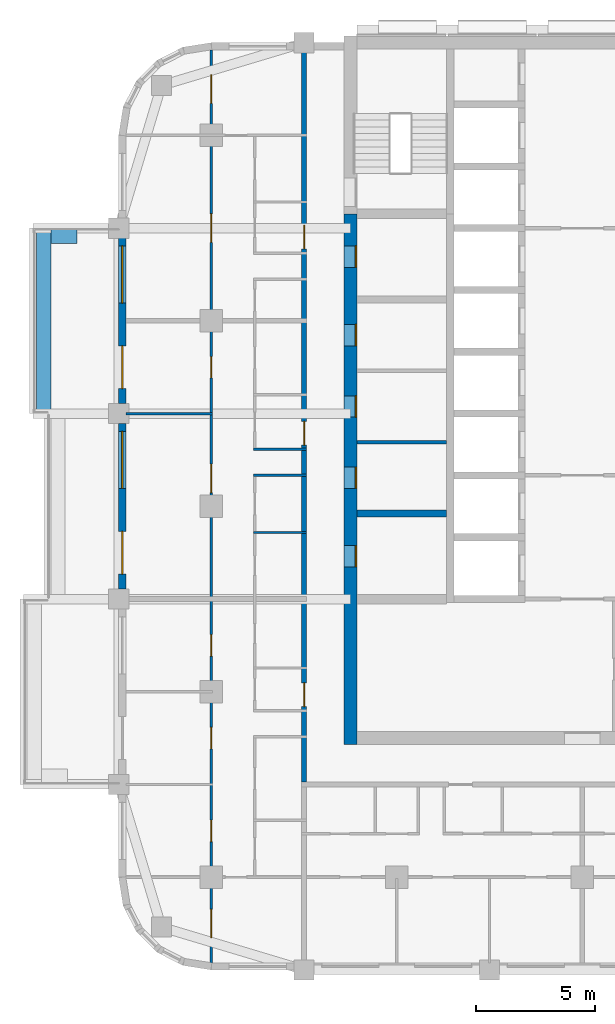
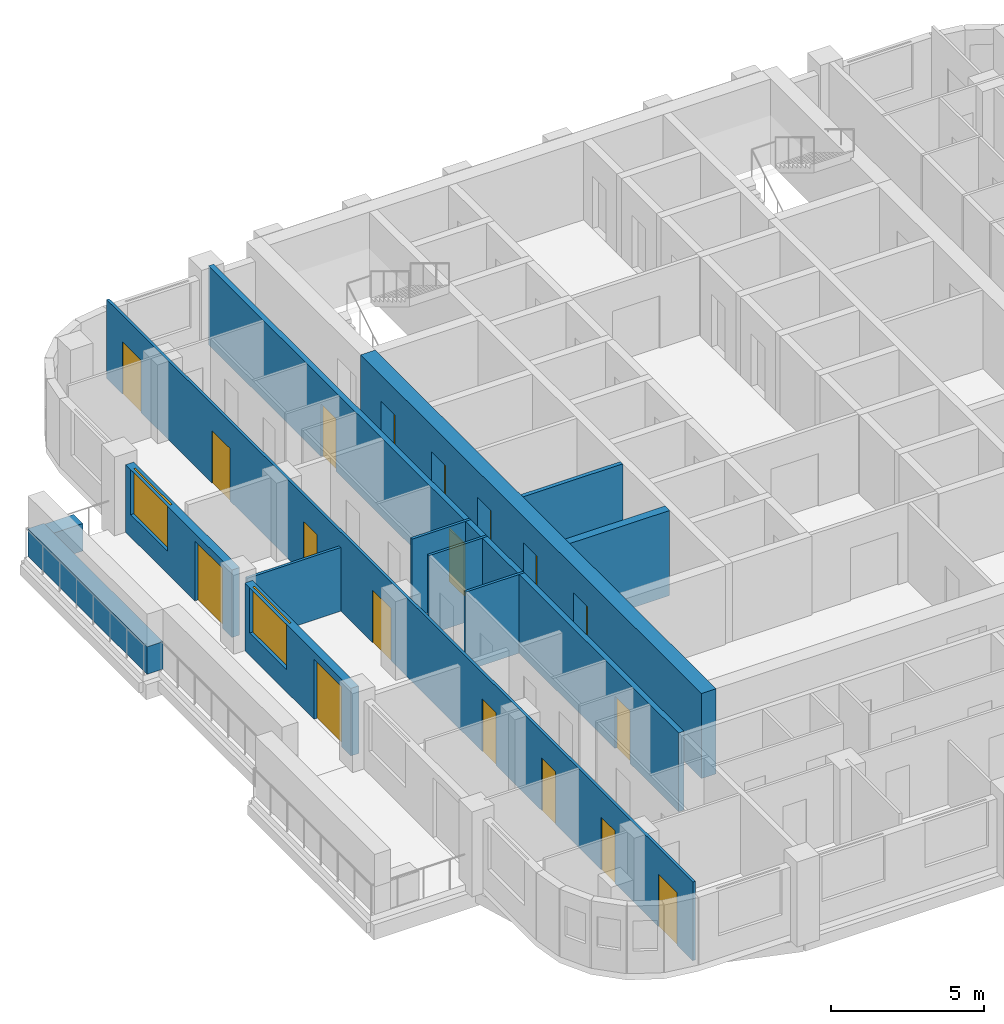
# One storey, part 4 of 13: 18 doors, 13 walls, 2 windows, 20 openings.
"""IFC4 building model written with IfcOpenShell, lengths in metres."""

from ifc_helpers import new_model, si_unit, direction, frame, frame_2d, origin, place, context, subcontext, project, spatial, rectangle, extrude, material, layer, layer_set, type_object, element, fill, save


model = new_model("IFC4")

# Units and contexts
model_context = context("Model", 3, precision=1e-05, world=origin(), true_north=direction((0.0, 1.0)))
body_context = subcontext(model_context, "Body", "Model", "MODEL_VIEW")
ifc_project = project(units=[si_unit("LENGTHUNIT", "METRE"), si_unit("AREAUNIT", "SQUARE_METRE"), si_unit("VOLUMEUNIT", "CUBIC_METRE"), si_unit("PLANEANGLEUNIT", "RADIAN"), si_unit("MASSUNIT", "GRAM", prefix="KILO")], contexts=[model_context])

# Site, building, storey
site_placement = place(None, origin())
site = spatial("IfcSite", under=ifc_project, at=site_placement, CompositionType="ELEMENT")
building_placement = place(site_placement, origin())
building = spatial("IfcBuilding", under=site, at=building_placement, Name="Ludao Terraces", CompositionType="ELEMENT")
storey_placement = place(building_placement, frame((0.0, 0.0, 127.10009765625)))
storey = spatial("IfcBuildingStorey", under=building, at=storey_placement, Name="L34", CompositionType="ELEMENT", Elevation=127.10009765625)

# Wall, openings, doors
ifc_material_1 = material(Name="Concrete C60", Category="concrete")
ifc_layer_1 = layer(ifc_material_1, 0.550048828125)
ifc_layer_set_1 = layer_set([ifc_layer_1], Name="Core wall 550 C60")
wall_type_1 = type_object("IfcWallType", Name="Core wall 550 C60", PredefinedType="SOLIDWALL", material=ifc_layer_set_1)
wall_1_placement = place(storey_placement, frame((75.25, 54.97509765625, -0.25), z_axis=(0.0, 0.0, 1.0), x_axis=(0.0, 1.0, 0.0)))
wall_1 = element("IfcWall", 1, at=wall_1_placement, inside=storey, type_object=wall_type_1, Name="Core wall L34 outer-W", PredefinedType="SOLIDWALL", context=body_context, shape_type="SweptSolid", body=[
    extrude(rectangle(XDim=22.324951171875, YDim=0.550048828125, at=frame_2d((11.16259765625, 0.0))), origin(), (0.0, 0.0, 1.0), 3.39990234375),
])
opening_1_placement = place(wall_1_placement, frame((7.47509765625, 0.0, 0.25)))
opening_1 = element("IfcOpeningElement", 2, at=opening_1_placement, cuts=wall_1, Name="Opening R10-041", PredefinedType="OPENING", context=body_context, shape_type="SweptSolid", body=[
    extrude(rectangle(XDim=0.89990234375, YDim=2.10009765625, at=frame_2d((0.449951171875, 1.050048828125))), frame((0.0, 0.28515625, 0.0), z_axis=(0.0, -1.0, 0.0), x_axis=(1.0, 0.0, 0.0)), (0.0, 0.0, 1.0), 0.570068359375),
])
opening_2_placement = place(wall_1_placement, frame((10.77490234375, 0.0, 0.25)))
opening_2 = element("IfcOpeningElement", 3, at=opening_2_placement, cuts=wall_1, Name="Opening R10-050", PredefinedType="OPENING", context=body_context, shape_type="SweptSolid", body=[
    extrude(rectangle(XDim=0.89990234375, YDim=2.10009765625, at=frame_2d((0.449951171875, 1.050048828125))), frame((0.0, 0.28515625, 0.0), z_axis=(0.0, -1.0, 0.0), x_axis=(1.0, 0.0, 0.0)), (0.0, 0.0, 1.0), 0.570068359375),
])
opening_3_placement = place(wall_1_placement, frame((13.77490234375, 0.0, 0.25)))
opening_3 = element("IfcOpeningElement", 4, at=opening_3_placement, cuts=wall_1, Name="Opening R10-059", PredefinedType="OPENING", context=body_context, shape_type="SweptSolid", body=[
    extrude(rectangle(XDim=0.89990234375, YDim=2.10009765625, at=frame_2d((0.449951171875, 1.050048828125))), frame((0.0, 0.28515625, 0.0), z_axis=(0.0, -1.0, 0.0), x_axis=(1.0, 0.0, 0.0)), (0.0, 0.0, 1.0), 0.570068359375),
])
opening_4_placement = place(wall_1_placement, frame((16.77490234375, 0.0, 0.25)))
opening_4 = element("IfcOpeningElement", 5, at=opening_4_placement, cuts=wall_1, Name="Opening R10-065", PredefinedType="OPENING", context=body_context, shape_type="SweptSolid", body=[
    extrude(rectangle(XDim=0.89990234375, YDim=2.10009765625, at=frame_2d((0.449951171875, 1.050048828125))), frame((0.0, 0.28515625, 0.0), z_axis=(0.0, -1.0, 0.0), x_axis=(1.0, 0.0, 0.0)), (0.0, 0.0, 1.0), 0.570068359375),
])
opening_5_placement = place(wall_1_placement, frame((20.074951171875, 0.0, 0.25)))
opening_5 = element("IfcOpeningElement", 6, at=opening_5_placement, cuts=wall_1, Name="Opening R10-073", PredefinedType="OPENING", context=body_context, shape_type="SweptSolid", body=[
    extrude(rectangle(XDim=0.89990234375, YDim=2.10009765625, at=frame_2d((0.449951171875, 1.050048828125))), frame((0.0, 0.28515625, 0.0), z_axis=(0.0, -1.0, 0.0), x_axis=(1.0, 0.0, 0.0)), (0.0, 0.0, 1.0), 0.570068359375),
])
ifc_material_2 = material(Name="Steel Q235", Category="steel")
door_type_1 = type_object("IfcDoorType", Name="INT Riser door 900", OperationType="SINGLE_SWING_LEFT", PredefinedType="DOOR", material=ifc_material_2)
door_1_placement = place(opening_1_placement, origin())
door_1 = element("IfcDoor", 7, at=door_1_placement, inside=storey, type_object=door_type_1, Name="DOOR 041", OperationType="SINGLE_SWING_RIGHT", OverallHeight=2.10009765625, OverallWidth=0.89990234375, PredefinedType="DOOR", context=body_context, shape_type="SweptSolid", body=[
    extrude(rectangle(XDim=0.89990234375, YDim=2.10009765625, at=frame_2d((0.449951171875, 1.050048828125))), frame((0.0, -0.2099609375, 0.0), z_axis=(0.0, -1.0, 0.0), x_axis=(1.0, 0.0, 0.0)), (0.0, 0.0, 1.0), 0.050048828125),
])
fill(opening_1, door_1)
door_2_placement = place(opening_5_placement, origin())
door_2 = element("IfcDoor", 8, at=door_2_placement, inside=storey, type_object=door_type_1, Name="DOOR 073", OperationType="SINGLE_SWING_LEFT", OverallHeight=2.10009765625, OverallWidth=0.89990234375, PredefinedType="DOOR", context=body_context, shape_type="SweptSolid", body=[
    extrude(rectangle(XDim=0.89990234375, YDim=2.10009765625, at=frame_2d((0.449951171875, 1.050048828125))), frame((0.0, -0.2099609375, 0.0), z_axis=(0.0, -1.0, 0.0), x_axis=(1.0, 0.0, 0.0)), (0.0, 0.0, 1.0), 0.050048828125),
])
fill(opening_5, door_2)
ifc_material_3 = material(Name="Timber door leaf", Category="wood")
door_type_2 = type_object("IfcDoorType", Name="INT Room door 900", OperationType="SINGLE_SWING_LEFT", PredefinedType="DOOR", material=ifc_material_3)
door_3_placement = place(opening_2_placement, origin())
door_3 = element("IfcDoor", 9, at=door_3_placement, inside=storey, type_object=door_type_2, Name="DOOR 050", OperationType="SINGLE_SWING_RIGHT", OverallHeight=2.10009765625, OverallWidth=0.89990234375, PredefinedType="DOOR", context=body_context, shape_type="SweptSolid", body=[
    extrude(rectangle(XDim=0.89990234375, YDim=2.10009765625, at=frame_2d((0.449951171875, 1.050048828125))), frame((0.0, -0.2099609375, 0.0), z_axis=(0.0, -1.0, 0.0), x_axis=(1.0, 0.0, 0.0)), (0.0, 0.0, 1.0), 0.050048828125),
])
fill(opening_2, door_3)
door_4_placement = place(opening_3_placement, origin())
door_4 = element("IfcDoor", 10, at=door_4_placement, inside=storey, type_object=door_type_2, Name="DOOR 059", OperationType="SINGLE_SWING_LEFT", OverallHeight=2.10009765625, OverallWidth=0.89990234375, PredefinedType="DOOR", context=body_context, shape_type="SweptSolid", body=[
    extrude(rectangle(XDim=0.89990234375, YDim=2.10009765625, at=frame_2d((0.449951171875, 1.050048828125))), frame((0.0, -0.2099609375, 0.0), z_axis=(0.0, -1.0, 0.0), x_axis=(1.0, 0.0, 0.0)), (0.0, 0.0, 1.0), 0.050048828125),
])
fill(opening_3, door_4)
door_5_placement = place(opening_4_placement, origin())
door_5 = element("IfcDoor", 11, at=door_5_placement, inside=storey, type_object=door_type_2, Name="DOOR 065", OperationType="SINGLE_SWING_LEFT", OverallHeight=2.10009765625, OverallWidth=0.89990234375, PredefinedType="DOOR", context=body_context, shape_type="SweptSolid", body=[
    extrude(rectangle(XDim=0.89990234375, YDim=2.10009765625, at=frame_2d((0.449951171875, 1.050048828125))), frame((0.0, -0.2099609375, 0.0), z_axis=(0.0, -1.0, 0.0), x_axis=(1.0, 0.0, 0.0)), (0.0, 0.0, 1.0), 0.050048828125),
])
fill(opening_4, door_5)

# Walls
ifc_material_4 = material(Name="Concrete C40", Category="concrete")
ifc_layer_2 = layer(ifc_material_4, 0.60009765625)
ifc_layer_set_2 = layer_set([ifc_layer_2], Name="ENV Planter trough 600")
wall_type_2 = type_object("IfcWallType", Name="ENV Planter trough 600", PredefinedType="USERDEFINED", material=ifc_layer_set_2)
wall_2_placement = place(storey_placement, frame((62.35009765625, 68.89990234375, 0.0), z_axis=(0.0, 0.0, 1.0), x_axis=(0.0, 1.0, 0.0)))
element("IfcWall", 12, at=wall_2_placement, inside=storey, type_object=wall_type_2, Name="PL-L34-W3", ObjectType="PLANTER", PredefinedType="USERDEFINED", context=body_context, shape_type="SweptSolid", body=[
    extrude(rectangle(XDim=7.800048828125, YDim=0.60009765625, at=frame_2d((3.89990234375, 0.0))), origin(), (0.0, 0.0, 1.0), 1.099853515625),
])
wall_3_placement = place(storey_placement, frame((62.64990234375, 76.35009765625, 0.0), z_axis=(0.0, 0.0, 1.0), x_axis=(1.0, 0.0, 0.0)))
element("IfcWall", 13, at=wall_3_placement, inside=storey, type_object=wall_type_2, Name="PL-L34-W3-SB", ObjectType="PLANTER", PredefinedType="USERDEFINED", context=body_context, shape_type="SweptSolid", body=[
    extrude(rectangle(XDim=1.10009765625, YDim=0.60009765625, at=frame_2d((0.550048828125, 0.0))), origin(), (0.0, 0.0, 1.0), 1.099853515625),
])

# Wall, openings, door, window
ifc_material_5 = material(Name="Granite cladding", Category="masonry")
ifc_layer_3 = layer(ifc_material_5, 0.0400390625, Category="stone")
ifc_material_6 = material(Name="Mineral wool")
ifc_layer_4 = layer(ifc_material_6, 0.06005859375)
ifc_layer_5 = layer(ifc_material_4, 0.199951171875, Category="concrete")
ifc_layer_set_3 = layer_set([ifc_layer_3, ifc_layer_4, ifc_layer_5], Name="ENV Stone-clad wall 300")
wall_type_3 = type_object("IfcWallType", Name="ENV Stone-clad wall 300", PredefinedType="SOLIDWALL", material=ifc_layer_set_3)
wall_4_placement = place(storey_placement, frame((65.64990234375, 61.52490234375, 0.0), z_axis=(0.0, 0.0, 1.0), x_axis=(0.0, 1.0, 0.0)))
wall_4 = element("IfcWall", 14, at=wall_4_placement, inside=storey, type_object=wall_type_3, Name="EW-L34-W3", PredefinedType="SOLIDWALL", context=body_context, shape_type="SweptSolid", body=[
    extrude(rectangle(XDim=6.9501953125, YDim=0.300048828125, at=frame_2d((3.47509765625, 0.0))), origin(), (0.0, 0.0, 1.0), 2.699951171875),
])
opening_6_placement = place(wall_4_placement, frame((0.625, 0.0, 0.0)))
opening_6 = element("IfcOpeningElement", 15, at=opening_6_placement, cuts=wall_4, Name="Opening BD", PredefinedType="OPENING", context=body_context, shape_type="SweptSolid", body=[
    extrude(rectangle(XDim=1.800048828125, YDim=2.39990234375, at=frame_2d((0.89990234375, 1.199951171875))), frame((0.0, 0.16015625, 0.0), z_axis=(0.0, -1.0, 0.0), x_axis=(1.0, 0.0, 0.0)), (0.0, 0.0, 1.0), 0.320068359375),
])
opening_7_placement = place(wall_4_placement, frame((4.22509765625, 0.0, 0.89990234375)))
opening_7 = element("IfcOpeningElement", 16, at=opening_7_placement, cuts=wall_4, Name="Opening W1", PredefinedType="OPENING", context=body_context, shape_type="SweptSolid", body=[
    extrude(rectangle(XDim=2.39990234375, YDim=1.800048828125, at=frame_2d((1.199951171875, 0.89990234375))), frame((0.0, 0.16015625, 0.0), z_axis=(0.0, -1.0, 0.0), x_axis=(1.0, 0.0, 0.0)), (0.0, 0.0, 1.0), 0.320068359375),
])
ifc_material_7 = material(Name="Aluminium glazed door", Category="aluminium")
ifc_layer_6 = layer(ifc_material_7, 0.06005859375)
ifc_layer_set_4 = layer_set([ifc_layer_6], Name="ENV Balcony door BD 1800x2400")
door_type_3 = type_object("IfcDoorType", Name="ENV Balcony door BD 1800x2400", OperationType="DOUBLE_DOOR_SINGLE_SWING", PredefinedType="DOOR", material=ifc_layer_set_4)
door_6_placement = place(opening_6_placement, origin())
door_6 = element("IfcDoor", 17, at=door_6_placement, inside=storey, type_object=door_type_3, Name="BD-L34-W3-1", OperationType="DOUBLE_DOOR_SINGLE_SWING", OverallHeight=2.39990234375, OverallWidth=1.800048828125, PredefinedType="DOOR", context=body_context, shape_type="SweptSolid", body=[
    extrude(rectangle(XDim=1.800048828125, YDim=2.39990234375, at=frame_2d((0.89990234375, 1.199951171875))), frame((0.0, 0.02490234375, 0.0), z_axis=(0.0, -1.0, 0.0), x_axis=(1.0, 0.0, 0.0)), (0.0, 0.0, 1.0), 0.050048828125),
])
fill(opening_6, door_6)
ifc_material_8 = material(Name="Clear glass in aluminium frame", Category="aluminium")
ifc_layer_7 = layer(ifc_material_8, 0.06005859375)
ifc_layer_set_5 = layer_set([ifc_layer_7], Name="ENV Window W1 2400x1800")
window_type = type_object("IfcWindowType", Name="ENV Window W1 2400x1800", PartitioningType="DOUBLE_PANEL_VERTICAL", PredefinedType="WINDOW", material=ifc_layer_set_5)
window_1_placement = place(opening_7_placement, origin())
window_1 = element("IfcWindow", 18, at=window_1_placement, inside=storey, type_object=window_type, Name="W-L34-W3-2", OverallHeight=1.800048828125, OverallWidth=2.39990234375, PartitioningType="DOUBLE_PANEL_VERTICAL", PredefinedType="WINDOW", context=body_context, shape_type="SweptSolid", body=[
    extrude(rectangle(XDim=2.39990234375, YDim=1.800048828125, at=frame_2d((1.199951171875, 0.89990234375))), frame((0.0, 0.030029296875, 0.0), z_axis=(0.0, -1.0, 0.0), x_axis=(1.0, 0.0, 0.0)), (0.0, 0.0, 1.0), 0.06005859375),
])
fill(opening_7, window_1)

wall_5_placement = place(storey_placement, frame((65.64990234375, 69.324951171875, 0.0), z_axis=(0.0, 0.0, 1.0), x_axis=(0.0, 1.0, 0.0)))
wall_5 = element("IfcWall", 19, at=wall_5_placement, inside=storey, type_object=wall_type_3, Name="EW-L34-W4", PredefinedType="SOLIDWALL", context=body_context, shape_type="SweptSolid", body=[
    extrude(rectangle(XDim=6.949951171875, YDim=0.300048828125, at=frame_2d((3.47509765625, 0.0))), origin(), (0.0, 0.0, 1.0), 2.699951171875),
])
opening_8_placement = place(wall_5_placement, frame((0.625, 0.0, 0.0)))
opening_8 = element("IfcOpeningElement", 20, at=opening_8_placement, cuts=wall_5, Name="Opening BD", PredefinedType="OPENING", context=body_context, shape_type="SweptSolid", body=[
    extrude(rectangle(XDim=1.800048828125, YDim=2.39990234375, at=frame_2d((0.89990234375, 1.199951171875))), frame((0.0, 0.16015625, 0.0), z_axis=(0.0, -1.0, 0.0), x_axis=(1.0, 0.0, 0.0)), (0.0, 0.0, 1.0), 0.320068359375),
])
opening_9_placement = place(wall_5_placement, frame((4.22509765625, 0.0, 0.89990234375)))
opening_9 = element("IfcOpeningElement", 21, at=opening_9_placement, cuts=wall_5, Name="Opening W1", PredefinedType="OPENING", context=body_context, shape_type="SweptSolid", body=[
    extrude(rectangle(XDim=2.39990234375, YDim=1.800048828125, at=frame_2d((1.199951171875, 0.89990234375))), frame((0.0, 0.16015625, 0.0), z_axis=(0.0, -1.0, 0.0), x_axis=(1.0, 0.0, 0.0)), (0.0, 0.0, 1.0), 0.320068359375),
])
door_7_placement = place(opening_8_placement, origin())
door_7 = element("IfcDoor", 22, at=door_7_placement, inside=storey, type_object=door_type_3, Name="BD-L34-W4-1", OperationType="DOUBLE_DOOR_SINGLE_SWING", OverallHeight=2.39990234375, OverallWidth=1.800048828125, PredefinedType="DOOR", context=body_context, shape_type="SweptSolid", body=[
    extrude(rectangle(XDim=1.800048828125, YDim=2.39990234375, at=frame_2d((0.89990234375, 1.199951171875))), frame((0.0, 0.02490234375, 0.0), z_axis=(0.0, -1.0, 0.0), x_axis=(1.0, 0.0, 0.0)), (0.0, 0.0, 1.0), 0.050048828125),
])
fill(opening_8, door_7)
window_2_placement = place(opening_9_placement, origin())
window_2 = element("IfcWindow", 23, at=window_2_placement, inside=storey, type_object=window_type, Name="W-L34-W4-2", OverallHeight=1.800048828125, OverallWidth=2.39990234375, PartitioningType="DOUBLE_PANEL_VERTICAL", PredefinedType="WINDOW", context=body_context, shape_type="SweptSolid", body=[
    extrude(rectangle(XDim=2.39990234375, YDim=1.800048828125, at=frame_2d((1.199951171875, 0.89990234375))), frame((0.0, 0.030029296875, 0.0), z_axis=(0.0, -1.0, 0.0), x_axis=(1.0, 0.0, 0.0)), (0.0, 0.0, 1.0), 0.06005859375),
])
fill(opening_9, window_2)

# Wall
ifc_material_9 = material(Name="Fire-rated gypsum plasterboard", Category="gypsum")
ifc_layer_8 = layer(ifc_material_9, 0.012451171875, Category="gypsum")
ifc_layer_9 = layer(ifc_material_6, 0.10009765625, Name="insulation")
ifc_layer_10 = layer(ifc_material_2, 0.02490234375, Name="stud")
ifc_layer_11 = layer(ifc_material_9, 0.012451171875, Category="gypsum")
ifc_layer_set_6 = layer_set([ifc_layer_8, ifc_layer_9, ifc_layer_10, ifc_layer_11], Name="INT Core partition 150")
wall_type_4 = type_object("IfcWallType", Name="INT Core partition 150", PredefinedType="PARTITIONING", material=ifc_layer_set_6)
wall_6_placement = place(storey_placement, frame((75.525146484375, 67.699951171875, 0.0), z_axis=(0.0, 0.0, 1.0), x_axis=(1.0, 0.0, 0.0)))
element("IfcWall", 24, at=wall_6_placement, inside=storey, type_object=wall_type_4, Name="PW-L34-PW027", PredefinedType="PARTITIONING", context=body_context, shape_type="SweptSolid", body=[
    extrude(rectangle(XDim=3.77490234375, YDim=0.14990234375, at=frame_2d((1.887451171875, 0.0))), origin(), (0.0, 0.0, 1.0), 3.14990234375),
])

# Wall, openings, doors
ifc_material_10 = material(Name="Autoclaved aerated concrete block B06 A3.5", Category="concrete")
ifc_layer_12 = layer(ifc_material_10, 0.199951171875)
ifc_layer_set_7 = layer_set([ifc_layer_12], Name="INT Entrance wall 200")
wall_type_5 = type_object("IfcWallType", Name="INT Entrance wall 200", PredefinedType="PARTITIONING", material=ifc_layer_set_7)
wall_7_placement = place(storey_placement, frame((73.300048828125, 53.400146484375, 0.0), z_axis=(0.0, 0.0, 1.0), x_axis=(0.0, 1.0, 0.0)))
wall_7 = element("IfcWall", 25, at=wall_7_placement, inside=storey, type_object=wall_type_5, Name="PW-L34-PW052", PredefinedType="PARTITIONING", context=body_context, shape_type="SweptSolid", body=[
    extrude(rectangle(XDim=30.800048828125, YDim=0.199951171875, at=frame_2d((15.39990234375, 0.0))), origin(), (0.0, 0.0, 1.0), 3.14990234375),
])
opening_10_placement = place(wall_7_placement, frame((3.175048828125, 0.0, 0.0)))
opening_10 = element("IfcOpeningElement", 26, at=opening_10_placement, cuts=wall_7, Name="Opening R10-030", PredefinedType="OPENING", context=body_context, shape_type="SweptSolid", body=[
    extrude(rectangle(XDim=1.0, YDim=2.10009765625, at=frame_2d((0.5, 1.050048828125))), frame((0.0, 0.10986328125, 0.0), z_axis=(0.0, -1.0, 0.0), x_axis=(1.0, 0.0, 0.0)), (0.0, 0.0, 1.0), 0.219970703125),
])
opening_11_placement = place(wall_7_placement, frame((14.175048828125, 0.0, 0.0)))
opening_11 = element("IfcOpeningElement", 27, at=opening_11_placement, cuts=wall_7, Name="Opening R10-055", PredefinedType="OPENING", context=body_context, shape_type="SweptSolid", body=[
    extrude(rectangle(XDim=1.0, YDim=2.10009765625, at=frame_2d((0.5, 1.050048828125))), frame((0.0, 0.10986328125, 0.0), z_axis=(0.0, -1.0, 0.0), x_axis=(1.0, 0.0, 0.0)), (0.0, 0.0, 1.0), 0.219970703125),
])
opening_12_placement = place(wall_7_placement, frame((22.425048828125, 0.0, 0.0)))
opening_12 = element("IfcOpeningElement", 28, at=opening_12_placement, cuts=wall_7, Name="Opening R10-075", PredefinedType="OPENING", context=body_context, shape_type="SweptSolid", body=[
    extrude(rectangle(XDim=1.0, YDim=2.10009765625, at=frame_2d((0.5, 1.050048828125))), frame((0.0, 0.10986328125, 0.0), z_axis=(0.0, -1.0, 0.0), x_axis=(1.0, 0.0, 0.0)), (0.0, 0.0, 1.0), 0.219970703125),
])
door_type_4 = type_object("IfcDoorType", Name="INT Flat entrance door 1000", OperationType="SINGLE_SWING_LEFT", PredefinedType="DOOR", material=ifc_material_2)
door_8_placement = place(opening_10_placement, origin())
door_8 = element("IfcDoor", 29, at=door_8_placement, inside=storey, type_object=door_type_4, Name="DOOR 030", OperationType="SINGLE_SWING_RIGHT", OverallHeight=2.10009765625, OverallWidth=1.0, PredefinedType="DOOR", context=body_context, shape_type="SweptSolid", body=[
    extrude(rectangle(XDim=1.0, YDim=2.10009765625, at=frame_2d((0.5, 1.050048828125))), frame((0.0, 0.02490234375, 0.0), z_axis=(0.0, -1.0, 0.0), x_axis=(1.0, 0.0, 0.0)), (0.0, 0.0, 1.0), 0.050048828125),
])
fill(opening_10, door_8)
door_9_placement = place(opening_11_placement, origin())
door_9 = element("IfcDoor", 30, at=door_9_placement, inside=storey, type_object=door_type_4, Name="DOOR 055", OperationType="SINGLE_SWING_RIGHT", OverallHeight=2.10009765625, OverallWidth=1.0, PredefinedType="DOOR", context=body_context, shape_type="SweptSolid", body=[
    extrude(rectangle(XDim=1.0, YDim=2.10009765625, at=frame_2d((0.5, 1.050048828125))), frame((0.0, 0.02490234375, 0.0), z_axis=(0.0, -1.0, 0.0), x_axis=(1.0, 0.0, 0.0)), (0.0, 0.0, 1.0), 0.050048828125),
])
fill(opening_11, door_9)
door_10_placement = place(opening_12_placement, origin())
door_10 = element("IfcDoor", 31, at=door_10_placement, inside=storey, type_object=door_type_4, Name="DOOR 075", OperationType="SINGLE_SWING_RIGHT", OverallHeight=2.10009765625, OverallWidth=1.0, PredefinedType="DOOR", context=body_context, shape_type="SweptSolid", body=[
    extrude(rectangle(XDim=1.0, YDim=2.10009765625, at=frame_2d((0.5, 1.050048828125))), frame((0.0, 0.02490234375, 0.0), z_axis=(0.0, -1.0, 0.0), x_axis=(1.0, 0.0, 0.0)), (0.0, 0.0, 1.0), 0.050048828125),
])
fill(opening_12, door_10)

# Walls
ifc_material_11 = material(Name="Gypsum plasterboard", Category="gypsum")
ifc_layer_13 = layer(ifc_material_11, 0.012451171875, Category="gypsum")
ifc_layer_14 = layer(ifc_material_6, 0.06005859375, Name="insulation")
ifc_layer_15 = layer(ifc_material_2, 0.014892578125, Name="stud")
ifc_layer_16 = layer(ifc_material_11, 0.012451171875, Category="gypsum")
ifc_layer_set_8 = layer_set([ifc_layer_13, ifc_layer_14, ifc_layer_15, ifc_layer_16], Name="INT Partition 100")
wall_type_6 = type_object("IfcWallType", Name="INT Partition 100", PredefinedType="PARTITIONING", material=ifc_layer_set_8)
for number, where, z_axis, x_axis, name in (
    (32, (71.18017578125, 63.89990234375, 0.0), (0.0, 0.0, 1.0), (1.0, 0.0, 0.0), "PW-L34-PW021"),
    (33, (71.18017578125, 66.300048828125, 0.0), (0.0, 0.0, 1.0), (1.0, 0.0, 0.0), "PW-L34-PW023"),
    (34, (71.18017578125, 67.39990234375, 0.0), (0.0, 0.0, 1.0), (1.0, 0.0, 0.0), "PW-L34-PW026"),
):
    element("IfcWall", number, at=place(storey_placement, frame(where, z_axis=z_axis, x_axis=x_axis)), inside=storey, type_object=wall_type_6, Name=name, PredefinedType="PARTITIONING", context=body_context, shape_type="SweptSolid", body=[
        extrude(rectangle(XDim=2.219970703125, YDim=0.10009765625, at=frame_2d((1.10986328125, 0.0))), origin(), (0.0, 0.0, 1.0), 3.14990234375),
    ])
wall_8_placement = place(storey_placement, frame((65.800048828125, 68.89990234375, 0.0), z_axis=(0.0, 0.0, 1.0), x_axis=(1.0, 0.0, 0.0)))
element("IfcWall", 35, at=wall_8_placement, inside=storey, type_object=wall_type_6, Name="PW-L34-PW029", PredefinedType="PARTITIONING", context=body_context, shape_type="SweptSolid", body=[
    extrude(rectangle(XDim=3.650146484375, YDim=0.10009765625, at=frame_2d((1.8251953125, 0.0))), origin(), (0.0, 0.0, 1.0), 2.5498046875),
])

# Wall, openings, doors
wall_9_placement = place(storey_placement, frame((69.39990234375, 45.800048828125, 0.0), z_axis=(0.0, 0.0, 1.0), x_axis=(0.0, 1.0, 0.0)))
wall_9 = element("IfcWall", 36, at=wall_9_placement, inside=storey, type_object=wall_type_6, Name="PW-L34-PW046", PredefinedType="PARTITIONING", context=body_context, shape_type="SweptSolid", body=[
    extrude(rectangle(XDim=38.400146484375, YDim=0.10009765625, at=frame_2d((19.2001953125, 0.0))), origin(), (0.0, 0.0, 1.0), 3.14990234375),
])
opening_13_placement = place(wall_9_placement, frame((1.050048828125, 0.0, 0.0)))
opening_13 = element("IfcOpeningElement", 37, at=opening_13_placement, cuts=wall_9, Name="Opening R10-001", PredefinedType="OPENING", context=body_context, shape_type="SweptSolid", body=[
    extrude(rectangle(XDim=1.199951171875, YDim=2.10009765625, at=frame_2d((0.60009765625, 1.050048828125))), frame((0.0, 0.06005859375, 0.0), z_axis=(0.0, -1.0, 0.0), x_axis=(1.0, 0.0, 0.0)), (0.0, 0.0, 1.0), 0.1201171875),
])
opening_14_placement = place(wall_9_placement, frame((5.10009765625, 0.0, 0.0)))
opening_14 = element("IfcOpeningElement", 38, at=opening_14_placement, cuts=wall_9, Name="Opening R10-020", PredefinedType="OPENING", context=body_context, shape_type="SweptSolid", body=[
    extrude(rectangle(XDim=0.89990234375, YDim=2.10009765625, at=frame_2d((0.449951171875, 1.050048828125))), frame((0.0, 0.06005859375, 0.0), z_axis=(0.0, -1.0, 0.0), x_axis=(1.0, 0.0, 0.0)), (0.0, 0.0, 1.0), 0.1201171875),
])
opening_15_placement = place(wall_9_placement, frame((9.0, 0.0, 0.0)))
opening_15 = element("IfcOpeningElement", 39, at=opening_15_placement, cuts=wall_9, Name="Opening R10-027", PredefinedType="OPENING", context=body_context, shape_type="SweptSolid", body=[
    extrude(rectangle(XDim=0.89990234375, YDim=2.10009765625, at=frame_2d((0.449951171875, 1.050048828125))), frame((0.0, 0.06005859375, 0.0), z_axis=(0.0, -1.0, 0.0), x_axis=(1.0, 0.0, 0.0)), (0.0, 0.0, 1.0), 0.1201171875),
])
opening_16_placement = place(wall_9_placement, frame((12.89990234375, 0.0, 0.0)))
opening_16 = element("IfcOpeningElement", 40, at=opening_16_placement, cuts=wall_9, Name="Opening R10-034", PredefinedType="OPENING", context=body_context, shape_type="SweptSolid", body=[
    extrude(rectangle(XDim=0.89990234375, YDim=2.10009765625, at=frame_2d((0.449951171875, 1.050048828125))), frame((0.0, 0.06005859375, 0.0), z_axis=(0.0, -1.0, 0.0), x_axis=(1.0, 0.0, 0.0)), (0.0, 0.0, 1.0), 0.1201171875),
])
opening_17_placement = place(wall_9_placement, frame((19.77490234375, 0.0, 0.0)))
opening_17 = element("IfcOpeningElement", 41, at=opening_17_placement, cuts=wall_9, Name="Opening R10-049", PredefinedType="OPENING", context=body_context, shape_type="SweptSolid", body=[
    extrude(rectangle(XDim=1.199951171875, YDim=2.10009765625, at=frame_2d((0.60009765625, 1.050048828125))), frame((0.0, 0.06005859375, 0.0), z_axis=(0.0, -1.0, 0.0), x_axis=(1.0, 0.0, 0.0)), (0.0, 0.0, 1.0), 0.1201171875),
])
opening_18_placement = place(wall_9_placement, frame((24.60009765625, 0.0, 0.0)))
opening_18 = element("IfcOpeningElement", 42, at=opening_18_placement, cuts=wall_9, Name="Opening R10-061", PredefinedType="OPENING", context=body_context, shape_type="SweptSolid", body=[
    extrude(rectangle(XDim=0.89990234375, YDim=2.10009765625, at=frame_2d((0.449951171875, 1.050048828125))), frame((0.0, 0.06005859375, 0.0), z_axis=(0.0, -1.0, 0.0), x_axis=(1.0, 0.0, 0.0)), (0.0, 0.0, 1.0), 0.1201171875),
])
opening_19_placement = place(wall_9_placement, frame((30.300048828125, 0.0, 0.0)))
opening_19 = element("IfcOpeningElement", 43, at=opening_19_placement, cuts=wall_9, Name="Opening R10-077", PredefinedType="OPENING", context=body_context, shape_type="SweptSolid", body=[
    extrude(rectangle(XDim=1.199951171875, YDim=2.10009765625, at=frame_2d((0.60009765625, 1.050048828125))), frame((0.0, 0.06005859375, 0.0), z_axis=(0.0, -1.0, 0.0), x_axis=(1.0, 0.0, 0.0)), (0.0, 0.0, 1.0), 0.1201171875),
])
opening_20_placement = place(wall_9_placement, frame((36.14990234375, 0.0, 0.0)))
opening_20 = element("IfcOpeningElement", 44, at=opening_20_placement, cuts=wall_9, Name="Opening R10-091", PredefinedType="OPENING", context=body_context, shape_type="SweptSolid", body=[
    extrude(rectangle(XDim=1.199951171875, YDim=2.10009765625, at=frame_2d((0.60009765625, 1.050048828125))), frame((0.0, 0.06005859375, 0.0), z_axis=(0.0, -1.0, 0.0), x_axis=(1.0, 0.0, 0.0)), (0.0, 0.0, 1.0), 0.1201171875),
])
door_type_5 = type_object("IfcDoorType", Name="INT Double door 1200", OperationType="DOUBLE_DOOR_SINGLE_SWING", PredefinedType="DOOR", material=ifc_material_3)
door_11_placement = place(opening_13_placement, origin())
door_11 = element("IfcDoor", 45, at=door_11_placement, inside=storey, type_object=door_type_5, Name="DOOR 001", OperationType="DOUBLE_DOOR_SINGLE_SWING", OverallHeight=2.10009765625, OverallWidth=1.199951171875, PredefinedType="DOOR", context=body_context, shape_type="SweptSolid", body=[
    extrude(rectangle(XDim=1.199951171875, YDim=2.10009765625, at=frame_2d((0.60009765625, 1.050048828125))), frame((0.0, 0.02490234375, 0.0), z_axis=(0.0, -1.0, 0.0), x_axis=(1.0, 0.0, 0.0)), (0.0, 0.0, 1.0), 0.050048828125),
])
fill(opening_13, door_11)
door_12_placement = place(opening_17_placement, origin())
door_12 = element("IfcDoor", 46, at=door_12_placement, inside=storey, type_object=door_type_5, Name="DOOR 049", OperationType="DOUBLE_DOOR_SINGLE_SWING", OverallHeight=2.10009765625, OverallWidth=1.199951171875, PredefinedType="DOOR", context=body_context, shape_type="SweptSolid", body=[
    extrude(rectangle(XDim=1.199951171875, YDim=2.10009765625, at=frame_2d((0.60009765625, 1.050048828125))), frame((0.0, 0.02490234375, 0.0), z_axis=(0.0, -1.0, 0.0), x_axis=(1.0, 0.0, 0.0)), (0.0, 0.0, 1.0), 0.050048828125),
])
fill(opening_17, door_12)
door_13_placement = place(opening_19_placement, origin())
door_13 = element("IfcDoor", 47, at=door_13_placement, inside=storey, type_object=door_type_5, Name="DOOR 077", OperationType="DOUBLE_DOOR_SINGLE_SWING", OverallHeight=2.10009765625, OverallWidth=1.199951171875, PredefinedType="DOOR", context=body_context, shape_type="SweptSolid", body=[
    extrude(rectangle(XDim=1.199951171875, YDim=2.10009765625, at=frame_2d((0.60009765625, 1.050048828125))), frame((0.0, 0.02490234375, 0.0), z_axis=(0.0, -1.0, 0.0), x_axis=(1.0, 0.0, 0.0)), (0.0, 0.0, 1.0), 0.050048828125),
])
fill(opening_19, door_13)
door_14_placement = place(opening_20_placement, origin())
door_14 = element("IfcDoor", 48, at=door_14_placement, inside=storey, type_object=door_type_5, Name="DOOR 091", OperationType="DOUBLE_DOOR_SINGLE_SWING", OverallHeight=2.10009765625, OverallWidth=1.199951171875, PredefinedType="DOOR", context=body_context, shape_type="SweptSolid", body=[
    extrude(rectangle(XDim=1.199951171875, YDim=2.10009765625, at=frame_2d((0.60009765625, 1.050048828125))), frame((0.0, 0.02490234375, 0.0), z_axis=(0.0, -1.0, 0.0), x_axis=(1.0, 0.0, 0.0)), (0.0, 0.0, 1.0), 0.050048828125),
])
fill(opening_20, door_14)
door_15_placement = place(opening_14_placement, origin())
door_15 = element("IfcDoor", 49, at=door_15_placement, inside=storey, type_object=door_type_2, Name="DOOR 020", OperationType="SINGLE_SWING_RIGHT", OverallHeight=2.10009765625, OverallWidth=0.89990234375, PredefinedType="DOOR", context=body_context, shape_type="SweptSolid", body=[
    extrude(rectangle(XDim=0.89990234375, YDim=2.10009765625, at=frame_2d((0.449951171875, 1.050048828125))), frame((0.0, 0.02490234375, 0.0), z_axis=(0.0, -1.0, 0.0), x_axis=(1.0, 0.0, 0.0)), (0.0, 0.0, 1.0), 0.050048828125),
])
fill(opening_14, door_15)
door_16_placement = place(opening_15_placement, origin())
door_16 = element("IfcDoor", 50, at=door_16_placement, inside=storey, type_object=door_type_2, Name="DOOR 027", OperationType="SINGLE_SWING_RIGHT", OverallHeight=2.10009765625, OverallWidth=0.89990234375, PredefinedType="DOOR", context=body_context, shape_type="SweptSolid", body=[
    extrude(rectangle(XDim=0.89990234375, YDim=2.10009765625, at=frame_2d((0.449951171875, 1.050048828125))), frame((0.0, 0.02490234375, 0.0), z_axis=(0.0, -1.0, 0.0), x_axis=(1.0, 0.0, 0.0)), (0.0, 0.0, 1.0), 0.050048828125),
])
fill(opening_15, door_16)
door_17_placement = place(opening_16_placement, origin())
door_17 = element("IfcDoor", 51, at=door_17_placement, inside=storey, type_object=door_type_2, Name="DOOR 034", OperationType="SINGLE_SWING_RIGHT", OverallHeight=2.10009765625, OverallWidth=0.89990234375, PredefinedType="DOOR", context=body_context, shape_type="SweptSolid", body=[
    extrude(rectangle(XDim=0.89990234375, YDim=2.10009765625, at=frame_2d((0.449951171875, 1.050048828125))), frame((0.0, 0.02490234375, 0.0), z_axis=(0.0, -1.0, 0.0), x_axis=(1.0, 0.0, 0.0)), (0.0, 0.0, 1.0), 0.050048828125),
])
fill(opening_16, door_17)
door_18_placement = place(opening_18_placement, origin())
door_18 = element("IfcDoor", 52, at=door_18_placement, inside=storey, type_object=door_type_2, Name="DOOR 061", OperationType="SINGLE_SWING_LEFT", OverallHeight=2.10009765625, OverallWidth=0.89990234375, PredefinedType="DOOR", context=body_context, shape_type="SweptSolid", body=[
    extrude(rectangle(XDim=0.89990234375, YDim=2.10009765625, at=frame_2d((0.449951171875, 1.050048828125))), frame((0.0, 0.02490234375, 0.0), z_axis=(0.0, -1.0, 0.0), x_axis=(1.0, 0.0, 0.0)), (0.0, 0.0, 1.0), 0.050048828125),
])
fill(opening_18, door_18)

# Wall
ifc_material_12 = material(Name="Concrete C55", Category="concrete")
ifc_layer_17 = layer(ifc_material_12, 0.300048828125)
ifc_layer_set_9 = layer_set([ifc_layer_17], Name="Shaft wall 300 C55")
wall_type_7 = type_object("IfcWallType", Name="Shaft wall 300 C55", PredefinedType="SOLIDWALL", material=ifc_layer_set_9)
wall_10_placement = place(storey_placement, frame((75.52490234375, 64.699951171875, -0.25), z_axis=(0.0, 0.0, 1.0), x_axis=(1.0, 0.0, 0.0)))
element("IfcWall", 53, at=wall_10_placement, inside=storey, type_object=wall_type_7, Name="Core wall L34 riser-a-W", PredefinedType="SOLIDWALL", context=body_context, shape_type="SweptSolid", body=[
    extrude(rectangle(XDim=3.775146484375, YDim=0.300048828125, at=frame_2d((1.8876953125, 0.0))), origin(), (0.0, 0.0, 1.0), 3.39990234375),
])

save(model, "model.ifc")
